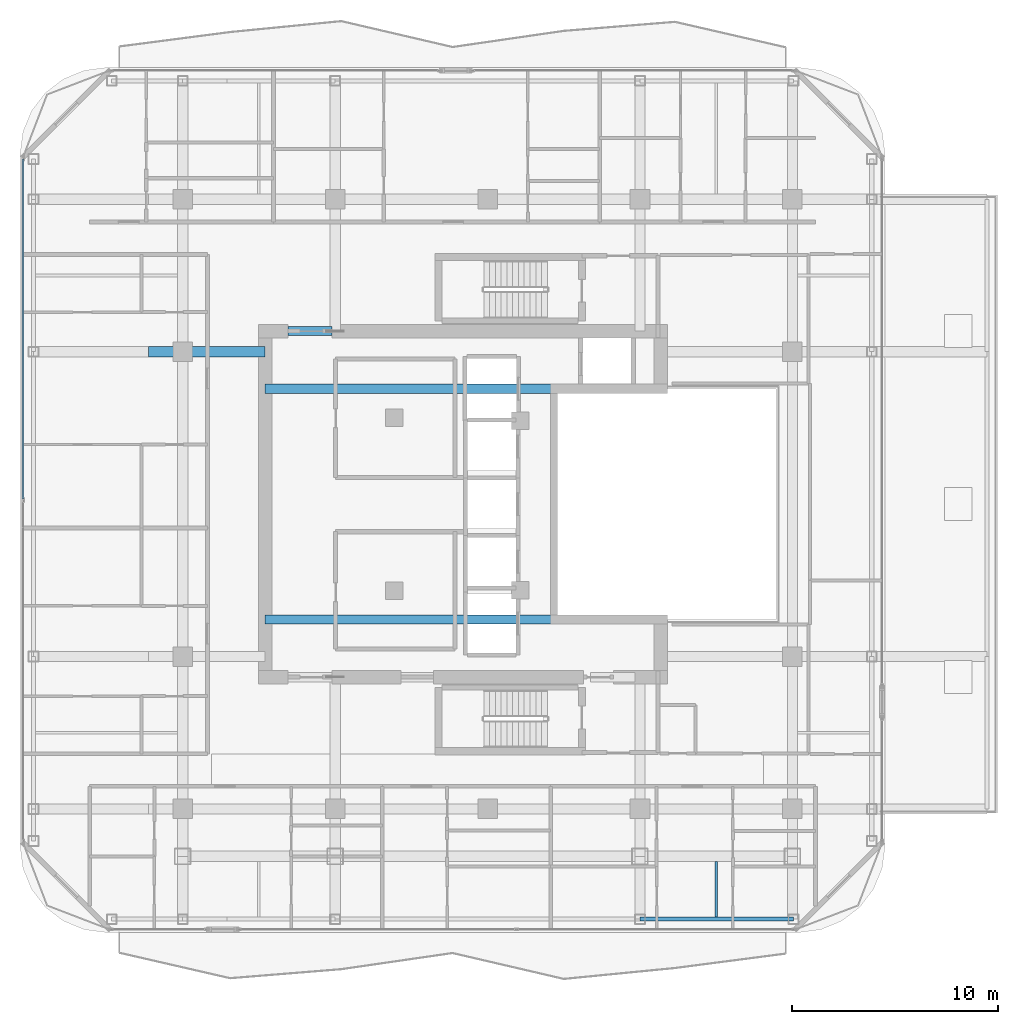
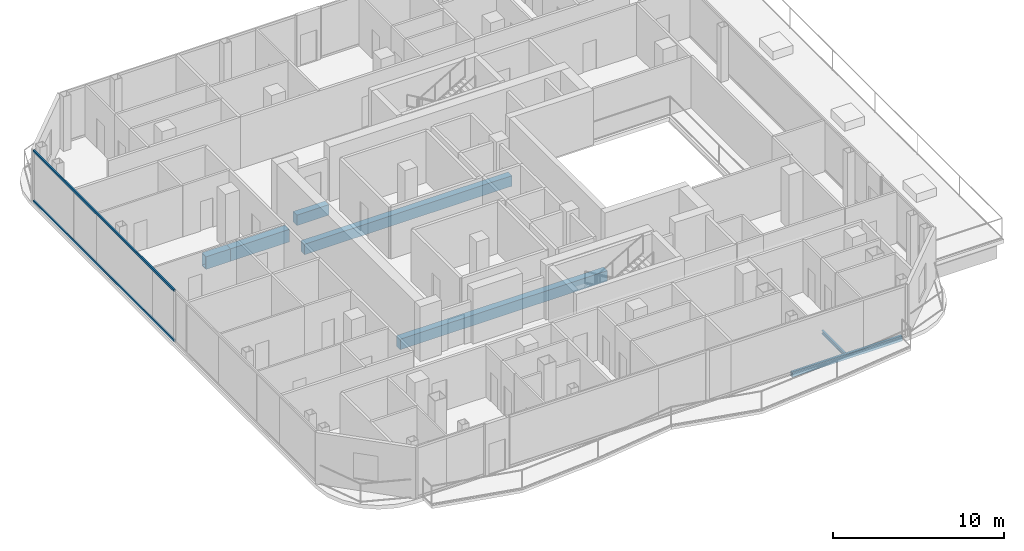
# One storey, part 7 of 24: 7 beams, 2 members, 1 element without a shape of its own.
"""IFC4 building model written with IfcOpenShell, lengths in metres."""

from ifc_helpers import new_model, si_unit, direction, frame, origin, origin_2d, place, context, subcontext, project, spatial, rectangle, hollow_rectangle, i_section, extrude, material, layer, layer_set, material_profile, profile_set, type_object, element, aggregate, save


model = new_model("IFC4")

# Units and contexts
model_context = context("Model", 3, precision=1e-05, world=origin(), true_north=direction((0.0, 1.0)))
body_context = subcontext(model_context, "Body", "Model", "MODEL_VIEW")
ifc_project = project(units=[si_unit("LENGTHUNIT", "METRE"), si_unit("AREAUNIT", "SQUARE_METRE"), si_unit("VOLUMEUNIT", "CUBIC_METRE"), si_unit("PLANEANGLEUNIT", "RADIAN"), si_unit("MASSUNIT", "GRAM", prefix="KILO")], contexts=[model_context])

# Site, building, storey
site_placement = place(None, origin())
site = spatial("IfcSite", under=ifc_project, at=site_placement, CompositionType="ELEMENT")
building_placement = place(site_placement, origin())
building = spatial("IfcBuilding", under=site, at=building_placement, Name="Khorvyn Point Tower", CompositionType="ELEMENT")
storey_placement = place(building_placement, frame((0.0, 0.0, 285.89990234375)))
storey = spatial("IfcBuildingStorey", under=building, at=storey_placement, Name="L70", CompositionType="ELEMENT", Elevation=285.89990234375)

# Curtain wall, members
ifc_material_1 = material(Name="Anodised aluminium 6063-T6 and laminated Low-E glass", Category="aluminium")
ifc_layer = layer(ifc_material_1, 0.18994140625)
ifc_layer_set = layer_set([ifc_layer], Name="Stick-Built High-Wind Curtain Wall CW-SYS-04")
curtain_wall_type = type_object("IfcCurtainWallType", Name="Stick-Built High-Wind Curtain Wall CW-SYS-04", PredefinedType="NOTDEFINED", material=ifc_layer_set)
curtain_wall_placement = place(storey_placement, origin())
curtain_wall = element("IfcCurtainWall", 1, at=curtain_wall_placement, inside=storey, type_object=curtain_wall_type, Name="Curtain Wall", PredefinedType="NOTDEFINED")
ifc_material_2 = material(Name="Anodised aluminium 6063-T6", Category="aluminium")
ifc_material_profile_1 = material_profile(ifc_material_2, hollow_rectangle(XDim=0.10009765625, YDim=0.159912109375, WallThickness=0.00439453125, at=origin_2d()))
ifc_profile_set_1 = profile_set([ifc_material_profile_1], Name="Anodised aluminium 6063-T6 ALU-TRN-100x160")
member_type = type_object("IfcMemberType", Name="Anodised Aluminium 6063-T6 Transom ALU-TRN-100x160", PredefinedType="USERDEFINED", material=ifc_profile_set_1)
member_1_placement = place(storey_placement, frame((-22.550048828125, 0.25, 0.050048828125), z_axis=(0.0, 1.0, 0.0), x_axis=(-1.0, 0.0, 0.0)))
member_1 = element("IfcMember", 2, at=member_1_placement, type_object=member_type, Name="Transom", ObjectType="TRANSOM", PredefinedType="USERDEFINED", context=body_context, shape_type="SweptSolid", body=[
    extrude(hollow_rectangle(XDim=0.10009765625, YDim=0.159912109375, WallThickness=0.00439453125, at=origin_2d()), origin(), (0.0, 0.0, 1.0), 16.5),
])
member_2_placement = place(storey_placement, frame((-22.550048828125, 0.25, 3.630126953125), z_axis=(0.0, 1.0, 0.0), x_axis=(-1.0, 0.0, 0.0)))
member_2 = element("IfcMember", 3, at=member_2_placement, type_object=member_type, Name="Transom", ObjectType="TRANSOM", PredefinedType="USERDEFINED", context=body_context, shape_type="SweptSolid", body=[
    extrude(hollow_rectangle(XDim=0.10009765625, YDim=0.159912109375, WallThickness=0.00439453125, at=origin_2d()), origin(), (0.0, 0.0, 1.0), 16.5),
])
aggregate(curtain_wall, [member_1, member_2])

# Beams
ifc_material_3 = material(Name="Concrete C40/50", Category="concrete")
ifc_material_profile_2 = material_profile(ifc_material_3, rectangle(XDim=0.449951171875, YDim=0.75, at=origin_2d()))
ifc_profile_set_2 = profile_set([ifc_material_profile_2], Name="Concrete C40/50 RC450x750")
beam_type_1 = type_object("IfcBeamType", Name="Concrete C40/50 Beam RC450x750", PredefinedType="BEAM", material=ifc_profile_set_2)
for number, where, z_axis, x_axis, name in (
    (4, (-10.800048828125, -5.60009765625, -0.65478515625), (1.0, 0.0, 0.0), (0.0, 1.0, 0.0), "L70 Core Internal Tie Girder S"),
    (5, (-10.800048828125, 5.60009765625, -0.65478515625), (1.0, 0.0, 0.0), (0.0, 1.0, 0.0), "L70 Core Internal Tie Girder N"),
):
    element("IfcBeam", number, at=place(storey_placement, frame(where, z_axis=z_axis, x_axis=x_axis)), inside=storey, type_object=beam_type_1, Name=name, PredefinedType="BEAM", context=body_context, shape_type="SweptSolid", body=[
        extrude(rectangle(XDim=0.449951171875, YDim=0.75, at=origin_2d()), origin(), (0.0, 0.0, 1.0), 14.02001953125),
    ])
beam_1_placement = place(storey_placement, frame((-9.699951171875, 8.39990234375, -0.65478515625), z_axis=(1.0, 0.0, 0.0), x_axis=(0.0, 1.0, 0.0)))
element("IfcBeam", 6, at=beam_1_placement, inside=storey, type_object=beam_type_1, Name="L70 Core Northwest Portal Coupling Beam", PredefinedType="BEAM", context=body_context, shape_type="SweptSolid", body=[
    extrude(rectangle(XDim=0.449951171875, YDim=0.75, at=origin_2d()), origin(), (0.0, 0.0, 1.0), 2.14990234375),
])
ifc_material_4 = material(Name="Steel S355", Category="steel")
ifc_material_profile_3 = material_profile(ifc_material_4, i_section(OverallWidth=0.125, OverallDepth=0.25, WebThickness=0.006103515625, FlangeThickness=0.009033203125, at=origin_2d()))
ifc_profile_set_3 = profile_set([ifc_material_profile_3], Name="Steel S355 H250x125x6x9")
beam_type_2 = type_object("IfcBeamType", Name="Steel S355 Joist H250x125x6x9", PredefinedType="JOIST", material=ifc_profile_set_3)
beam_2_placement = place(storey_placement, frame((11.10009765625, -20.050048828125, -0.40478515625), z_axis=(0.0, 1.0, 0.0), x_axis=(-1.0, 0.0, 0.0)))
element("IfcBeam", 7, at=beam_2_placement, inside=storey, type_object=beam_type_2, Name="Beam", PredefinedType="JOIST", context=body_context, shape_type="SweptSolid", body=[
    extrude(i_section(OverallWidth=0.125, OverallDepth=0.25, WebThickness=0.006103515625, FlangeThickness=0.009033203125, at=origin_2d()), origin(), (0.0, 0.0, 1.0), 2.699951171875),
])
ifc_material_profile_4 = material_profile(ifc_material_4, hollow_rectangle(XDim=0.199951171875, YDim=0.35009765625, WallThickness=0.013916015625, at=origin_2d()))
ifc_profile_set_4 = profile_set([ifc_material_profile_4], Name="Steel S355 RHS350x200x14")
beam_type_3 = type_object("IfcBeamType", Name="Steel S355 Spandrel RHS350x200x14", PredefinedType="SPANDREL", material=ifc_profile_set_4)
beam_3_placement = place(storey_placement, frame((7.39990234375, -20.14990234375, -0.454833984375), z_axis=(1.0, 0.0, 0.0), x_axis=(0.0, 1.0, 0.0)))
element("IfcBeam", 8, at=beam_3_placement, inside=storey, type_object=beam_type_3, Name="Beam", PredefinedType="SPANDREL", context=body_context, shape_type="SweptSolid", body=[
    extrude(hollow_rectangle(XDim=0.199951171875, YDim=0.35009765625, WallThickness=0.013916015625, at=origin_2d()), origin(), (0.0, 0.0, 1.0), 7.4501953125),
])
ifc_material_5 = material(Name="Steel S450", Category="steel")
ifc_material_profile_5 = material_profile(ifc_material_5, hollow_rectangle(XDim=0.5, YDim=0.89990234375, WallThickness=0.0400390625, at=origin_2d()))
ifc_profile_set_5 = profile_set([ifc_material_profile_5], Name="Steel S450 BOX900x500x40")
beam_type_4 = type_object("IfcBeamType", Name="Steel S450 Beam BOX900x500x40", PredefinedType="BEAM", material=ifc_profile_set_5)
beam_4_placement = place(storey_placement, frame((-16.449951171875, 7.39990234375, -0.72998046875), z_axis=(1.0, 0.0, 0.0), x_axis=(0.0, 1.0, 0.0)))
element("IfcBeam", 9, at=beam_4_placement, inside=storey, type_object=beam_type_4, Name="Beam", PredefinedType="BEAM", context=body_context, shape_type="SweptSolid", body=[
    extrude(hollow_rectangle(XDim=0.5, YDim=0.89990234375, WallThickness=0.0400390625, at=origin_2d()), origin(), (0.0, 0.0, 1.0), 1.64990234375),
])
beam_5_placement = place(storey_placement, frame((-14.800048828125, 7.39990234375, -0.72998046875), z_axis=(1.0, 0.0, 0.0), x_axis=(0.0, 1.0, 0.0)))
element("IfcBeam", 10, at=beam_5_placement, inside=storey, type_object=beam_type_4, Name="Beam", PredefinedType="BEAM", context=body_context, shape_type="SweptSolid", body=[
    extrude(hollow_rectangle(XDim=0.5, YDim=0.89990234375, WallThickness=0.0400390625, at=origin_2d()), origin(), (0.0, 0.0, 1.0), 4.0),
])

save(model, "model.ifc")
